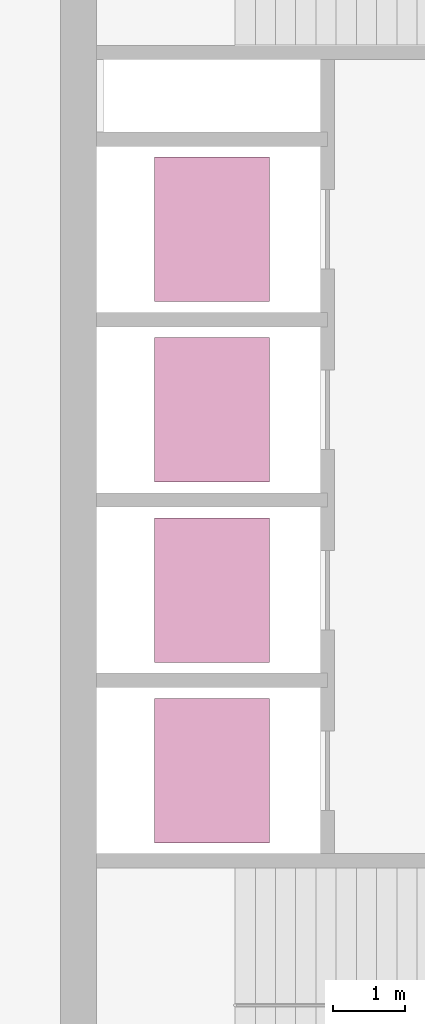
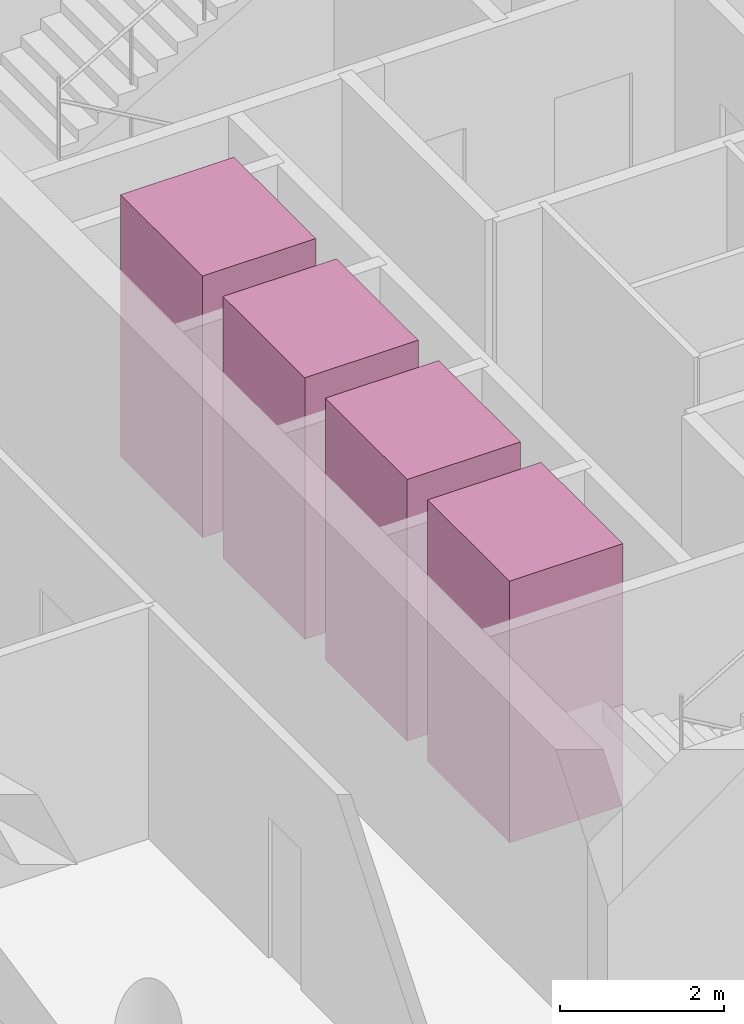
# One storey, part 11 of 11: 4 transport elements.
"""IFC4 building model written with IfcOpenShell, lengths in metres."""

from ifc_helpers import new_model, si_unit, direction, frame, origin, origin_2d, place, context, subcontext, project, spatial, rectangle, extrude, material, type_object, element, save


model = new_model("IFC4")

# Units and contexts
model_context = context("Model", 3, precision=1e-05, world=origin(), true_north=direction((0.0, 1.0)))
body_context = subcontext(model_context, "Body", "Model", "MODEL_VIEW")
ifc_project = project(units=[si_unit("LENGTHUNIT", "METRE"), si_unit("AREAUNIT", "SQUARE_METRE"), si_unit("VOLUMEUNIT", "CUBIC_METRE"), si_unit("PLANEANGLEUNIT", "RADIAN"), si_unit("MASSUNIT", "GRAM", prefix="KILO")], contexts=[model_context])

# Site, building, storey
site_placement = place(None, origin())
site = spatial("IfcSite", under=ifc_project, at=site_placement, CompositionType="ELEMENT")
building_placement = place(site_placement, origin())
building = spatial("IfcBuilding", under=site, at=building_placement, Name="Qaws Garden Tower", CompositionType="ELEMENT")
storey_placement = place(building_placement, frame((0.0, 0.0, 329.39990234375)))
storey = spatial("IfcBuildingStorey", under=building, at=storey_placement, Name="L80", CompositionType="ELEMENT", Elevation=329.39990234375)

# Transport elements
ifc_material = material(Name="Stainless steel 316", Category="steel")
transport_element_type = type_object("IfcTransportElementType", Name="Passenger lift car 2000x1600 1800 kg", PredefinedType="ELEVATOR", material=ifc_material)
for number, where, z_axis, x_axis, name in (
    (1, (10.10009765625, 13.64990234375, 0.000244140625), (0.0, 0.0, 1.0), (1.0, 0.0, 0.0), "HR1"),
    (2, (10.10009765625, 16.14990234375, 0.000244140625), (0.0, 0.0, 1.0), (1.0, 0.0, 0.0), "HR2"),
    (3, (10.10009765625, 18.64990234375, 0.000244140625), (0.0, 0.0, 1.0), (1.0, 0.0, 0.0), "HR3"),
    (4, (10.10009765625, 21.14990234375, 0.000244140625), (0.0, 0.0, 1.0), (1.0, 0.0, 0.0), "HR4"),
):
    element("IfcTransportElement", number, at=place(storey_placement, frame(where, z_axis=z_axis, x_axis=x_axis)), inside=storey, type_object=transport_element_type, Name=name, PredefinedType="ELEVATOR", context=body_context, shape_type="SweptSolid", body=[
        extrude(rectangle(XDim=1.60009765625, YDim=2.0, at=origin_2d()), origin(), (0.0, 0.0, 1.0), 3.89990234375),
    ])

save(model, "model.ifc")
